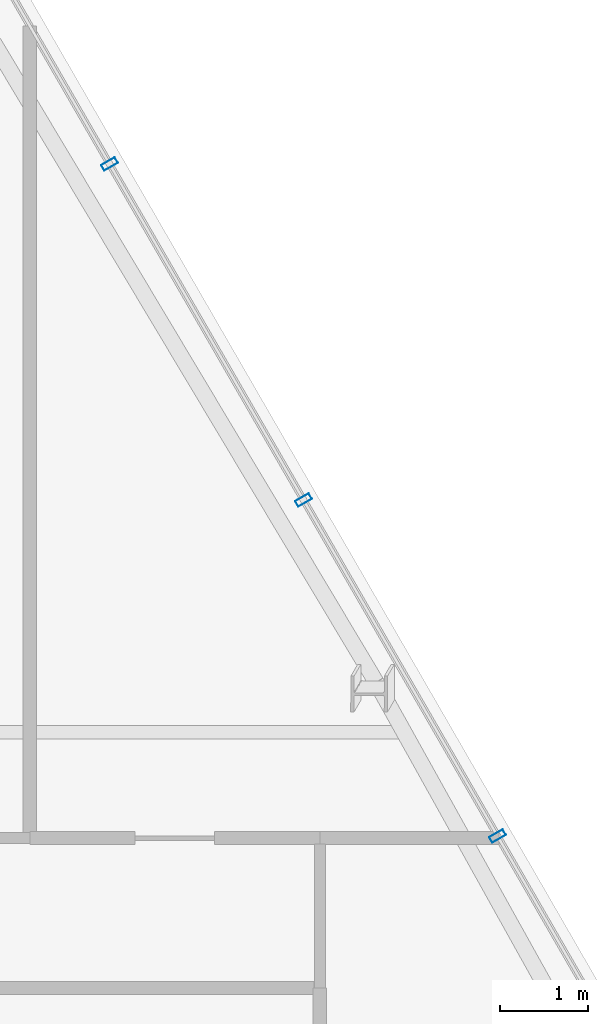
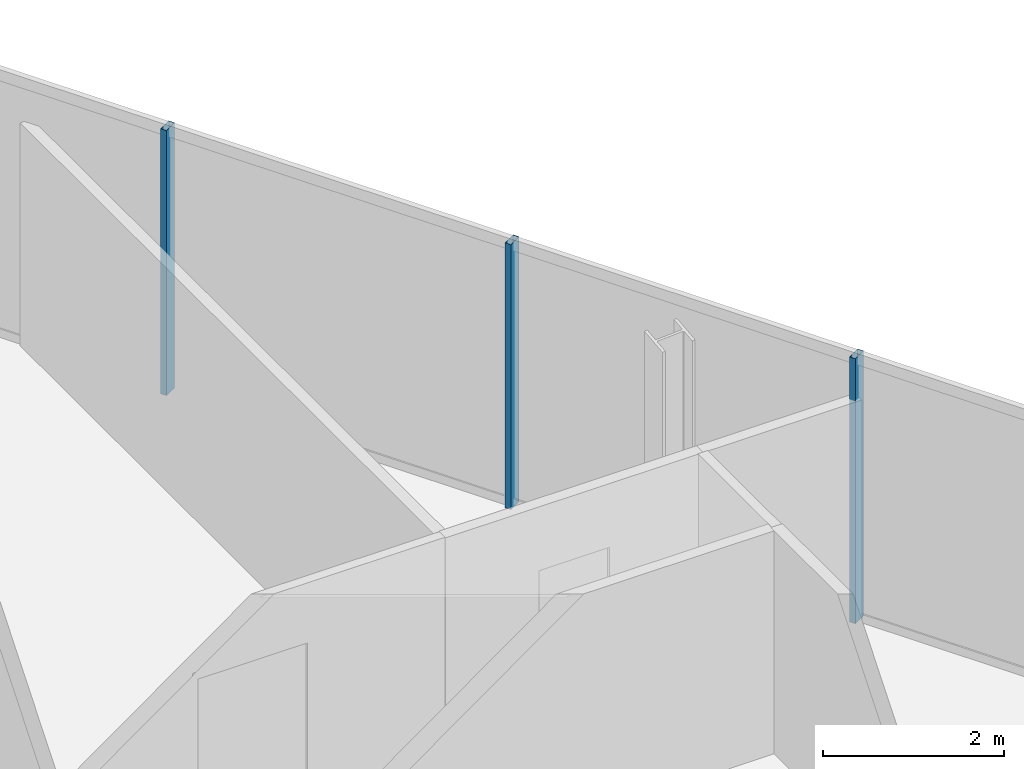
# One storey, part 24 of 32: 3 members, 1 element without a shape of its own.
"""IFC4 building model written with IfcOpenShell, lengths in metres."""

from ifc_helpers import new_model, si_unit, direction, frame, origin, origin_2d, place, context, subcontext, project, spatial, hollow_rectangle, extrude, material, layer, layer_set, material_profile, profile_set, type_object, element, aggregate, save


model = new_model("IFC4")

# Units and contexts
model_context = context("Model", 3, precision=1e-05, world=origin(), true_north=direction((0.0, 1.0)))
body_context = subcontext(model_context, "Body", "Model", "MODEL_VIEW")
ifc_project = project(units=[si_unit("LENGTHUNIT", "METRE"), si_unit("AREAUNIT", "SQUARE_METRE"), si_unit("VOLUMEUNIT", "CUBIC_METRE"), si_unit("PLANEANGLEUNIT", "RADIAN"), si_unit("MASSUNIT", "GRAM", prefix="KILO")], contexts=[model_context])

# Site, building, storey
site_placement = place(None, origin())
site = spatial("IfcSite", under=ifc_project, at=site_placement, CompositionType="ELEMENT")
building_placement = place(site_placement, origin())
building = spatial("IfcBuilding", under=site, at=building_placement, Name="Ndaravel Arena Tower", CompositionType="ELEMENT")
storey_placement = place(building_placement, frame((0.0, 0.0, 259.800048828125)))
storey = spatial("IfcBuildingStorey", under=building, at=storey_placement, Name="L63", CompositionType="ELEMENT", Elevation=259.800048828125)

# Curtain wall, members
ifc_material_1 = material(Name="Aluminium", Category="aluminium")
ifc_layer = layer(ifc_material_1, 0.179931640625)
ifc_layer_set = layer_set([ifc_layer], Name="Aluminium")
curtain_wall_type = type_object("IfcCurtainWallType", Name="CW-SYS-03", PredefinedType="NOTDEFINED", material=ifc_layer_set)
curtain_wall_placement = place(storey_placement, origin())
curtain_wall = element("IfcCurtainWall", 1, at=curtain_wall_placement, inside=storey, type_object=curtain_wall_type, Name="L63 Faceted Crystal Curtain Wall CW-L63-E03", PredefinedType="NOTDEFINED")
ifc_material_2 = material(Name="Aluminium", Category="aluminium")
ifc_material_profile = material_profile(ifc_material_2, hollow_rectangle(XDim=0.074951171875, YDim=0.179931640625, WallThickness=0.00390625, at=origin_2d()), Name="CW MULLION 75x180x4")
ifc_profile_set = profile_set([ifc_material_profile], Name="Aluminium")
member_type = type_object("IfcMemberType", Name="MEM-CW-MUL180", PredefinedType="MULLION", material=ifc_profile_set)
member_1_placement = place(storey_placement, frame((56.015380859375, 25.6240234375, 0.0), z_axis=(0.0, 0.0, 1.0), x_axis=(-0.5, 0.866025403784, 0.0)))
member_1 = element("IfcMember", 2, at=member_1_placement, type_object=member_type, Name="CW-L63-E03 Mullion 04", PredefinedType="MULLION", context=body_context, shape_type="SweptSolid", body=[
    extrude(hollow_rectangle(XDim=0.074951171875, YDim=0.179931640625, WallThickness=0.00390625, at=origin_2d()), origin(), (0.0, 0.0, 1.0), 3.579833984375),
])
member_2_placement = place(storey_placement, frame((53.81494140625, 29.435302734375, 0.0), z_axis=(0.0, 0.0, 1.0), x_axis=(-0.5, 0.866025403784, 0.0)))
member_2 = element("IfcMember", 3, at=member_2_placement, type_object=member_type, Name="CW-L63-E03 Mullion 05", PredefinedType="MULLION", context=body_context, shape_type="SweptSolid", body=[
    extrude(hollow_rectangle(XDim=0.074951171875, YDim=0.179931640625, WallThickness=0.00390625, at=origin_2d()), origin(), (0.0, 0.0, 1.0), 3.579833984375),
])
member_3_placement = place(storey_placement, frame((51.61474609375, 33.246337890625, 0.0), z_axis=(0.0, 0.0, 1.0), x_axis=(-0.5, 0.866025403784, 0.0)))
member_3 = element("IfcMember", 4, at=member_3_placement, type_object=member_type, Name="CW-L63-E03 Mullion 06", PredefinedType="MULLION", context=body_context, shape_type="SweptSolid", body=[
    extrude(hollow_rectangle(XDim=0.074951171875, YDim=0.179931640625, WallThickness=0.00390625, at=origin_2d()), origin(), (0.0, 0.0, 1.0), 3.579833984375),
])
aggregate(curtain_wall, [member_1, member_2, member_3])

save(model, "model.ifc")
